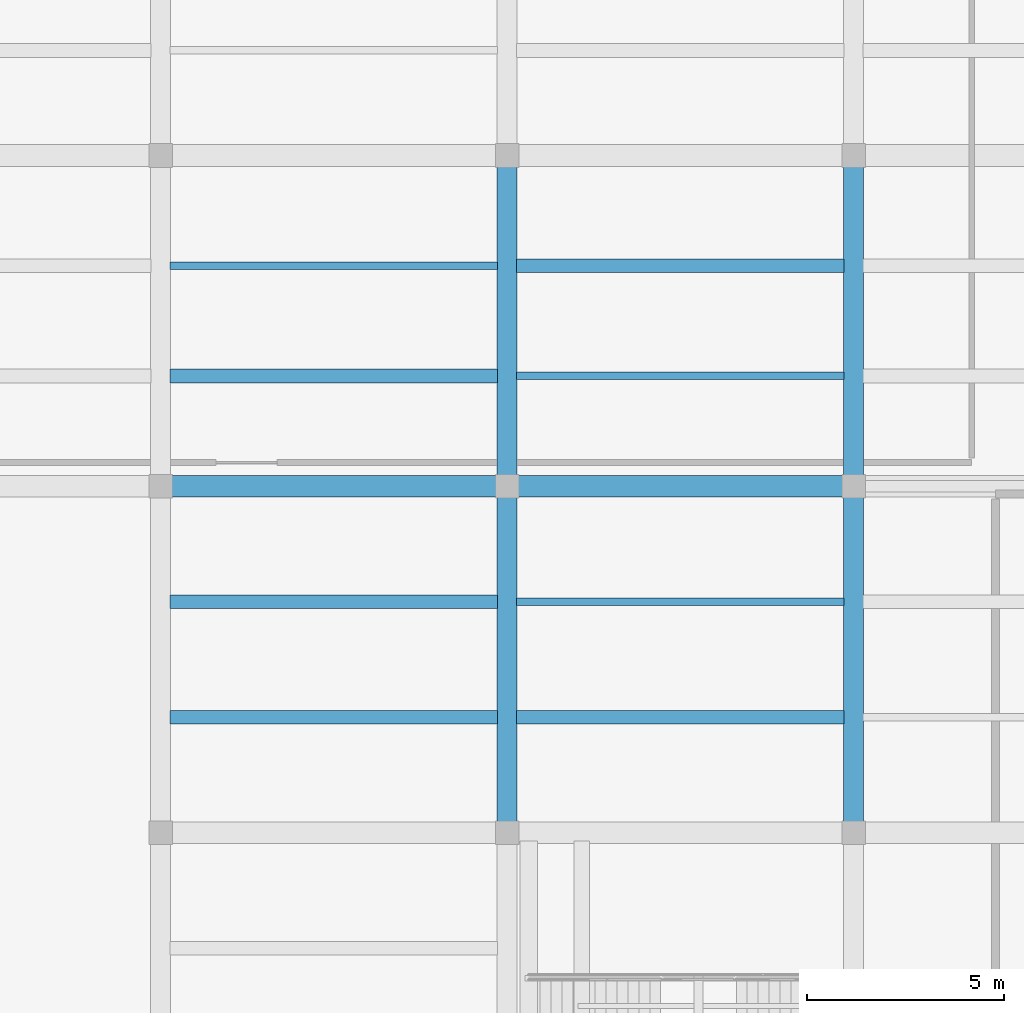
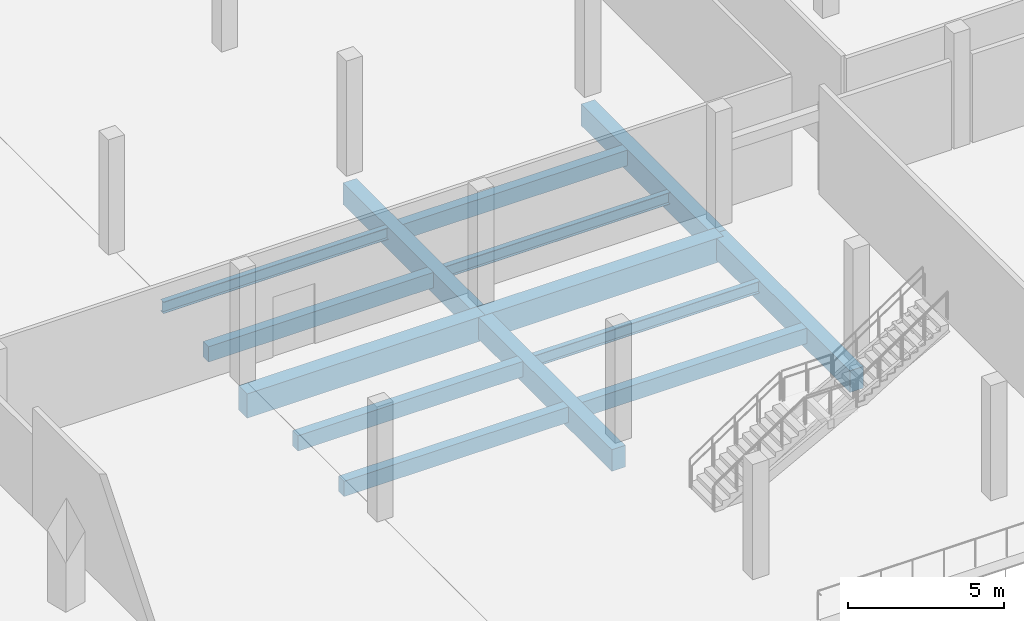
# One storey, part 44 of 77: 14 beams.
"""IFC4 building model written with IfcOpenShell, lengths in metres."""

from ifc_helpers import new_model, si_unit, direction, frame, origin, origin_2d, place, context, subcontext, project, spatial, rectangle, i_section, extrude, material, material_profile, profile_set, type_object, element, save


model = new_model("IFC4")

# Units and contexts
model_context = context("Model", 3, precision=1e-05, world=origin(), true_north=direction((0.0, 1.0)))
body_context = subcontext(model_context, "Body", "Model", "MODEL_VIEW")
ifc_project = project(units=[si_unit("LENGTHUNIT", "METRE"), si_unit("AREAUNIT", "SQUARE_METRE"), si_unit("VOLUMEUNIT", "CUBIC_METRE"), si_unit("PLANEANGLEUNIT", "RADIAN"), si_unit("MASSUNIT", "GRAM", prefix="KILO")], contexts=[model_context])

# Site, building, storey
site_placement = place(None, origin())
site = spatial("IfcSite", under=ifc_project, at=site_placement, CompositionType="ELEMENT")
building_placement = place(site_placement, origin())
building = spatial("IfcBuilding", under=site, at=building_placement, Name="Meriwether Solvik Hall", CompositionType="ELEMENT")
storey_placement = place(building_placement, frame((0.0, 0.0, 9.89990234375)))
storey = spatial("IfcBuildingStorey", under=building, at=storey_placement, Name="L02", CompositionType="ELEMENT", Elevation=9.89990234375)

# Beams
ifc_material_1 = material(Name="Concrete C40/50", Category="concrete")
ifc_material_profile_1 = material_profile(ifc_material_1, rectangle(XDim=0.35009765625, YDim=0.60009765625, at=origin_2d()), Name="RCB-350X600")
ifc_profile_set_1 = profile_set([ifc_material_profile_1], Name="Concrete C40/50")
beam_type_1 = type_object("IfcBeamType", Name="BM-RC-350X600", PredefinedType="JOIST", material=ifc_profile_set_1)
for number, where, z_axis, x_axis, name in (
    (1, (114.445068359375, 86.933349609375, -0.75), (1.0, 0.0, 0.0), (0.0, 1.0, 0.0), "Secondary Floor Joist 13/J_J1 (L02)"),
    (2, (114.445068359375, 89.86669921875, -0.75), (1.0, 0.0, 0.0), (0.0, 1.0, 0.0), "Secondary Floor Joist 13/J_J2 (L02)"),
    (3, (114.445068359375, 95.60009765625, -0.75), (1.0, 0.0, 0.0), (0.0, 1.0, 0.0), "Secondary Floor Joist 13/K_J1 (L02)"),
    (4, (123.2451171875, 86.933349609375, -0.75), (1.0, 0.0, 0.0), (0.0, 1.0, 0.0), "Secondary Floor Joist 14/J_J1 (L02)"),
    (5, (123.2451171875, 98.39990234375, -0.75), (1.0, 0.0, 0.0), (0.0, 1.0, 0.0), "Secondary Floor Joist 14/K_J2 (L02)"),
):
    element("IfcBeam", number, at=place(storey_placement, frame(where, z_axis=z_axis, x_axis=x_axis)), inside=storey, type_object=beam_type_1, Name=name, PredefinedType="JOIST", context=body_context, shape_type="SweptSolid", body=[
        extrude(rectangle(XDim=0.35009765625, YDim=0.60009765625, at=origin_2d()), origin(), (0.0, 0.0, 1.0), 8.309814453125),
    ])
ifc_material_2 = material(Name="Concrete C40/50", Category="concrete")
ifc_material_profile_2 = material_profile(ifc_material_2, rectangle(XDim=0.5, YDim=0.85009765625, at=origin_2d()), Name="RCB-500X850")
ifc_profile_set_2 = profile_set([ifc_material_profile_2], Name="Concrete C40/50")
beam_type_2 = type_object("IfcBeamType", Name="BM-RC-500X850", PredefinedType="BEAM", material=ifc_profile_set_2)
beam_1_placement = place(storey_placement, frame((123.0, 84.0, -0.875), z_axis=(0.0, 1.0, 0.0), x_axis=(-1.0, 0.0, 0.0)))
element("IfcBeam", 6, at=beam_1_placement, inside=storey, type_object=beam_type_2, Name="Podium Girder 14:J-K (L02)", PredefinedType="BEAM", context=body_context, shape_type="SweptSolid", body=[
    extrude(rectangle(XDim=0.5, YDim=0.85009765625, at=origin_2d()), origin(), (0.0, 0.0, 1.0), 8.800048828125),
])
beam_2_placement = place(storey_placement, frame((123.0, 92.800048828125, -0.875), z_axis=(0.0, 1.0, 0.0), x_axis=(-1.0, 0.0, 0.0)))
element("IfcBeam", 7, at=beam_2_placement, inside=storey, type_object=beam_type_2, Name="Podium Girder 14:K-L (L02)", PredefinedType="BEAM", context=body_context, shape_type="SweptSolid", body=[
    extrude(rectangle(XDim=0.5, YDim=0.85009765625, at=origin_2d()), origin(), (0.0, 0.0, 1.0), 8.39990234375),
])
beam_3_placement = place(storey_placement, frame((131.800048828125, 84.0, -0.875), z_axis=(0.0, 1.0, 0.0), x_axis=(-1.0, 0.0, 0.0)))
element("IfcBeam", 8, at=beam_3_placement, inside=storey, type_object=beam_type_2, Name="Podium Girder 15:J-K (L02)", PredefinedType="BEAM", context=body_context, shape_type="SweptSolid", body=[
    extrude(rectangle(XDim=0.5, YDim=0.85009765625, at=origin_2d()), origin(), (0.0, 0.0, 1.0), 8.800048828125),
])
beam_4_placement = place(storey_placement, frame((131.800048828125, 92.800048828125, -0.875), z_axis=(0.0, 1.0, 0.0), x_axis=(-1.0, 0.0, 0.0)))
element("IfcBeam", 9, at=beam_4_placement, inside=storey, type_object=beam_type_2, Name="Podium Girder 15:K-L (L02)", PredefinedType="BEAM", context=body_context, shape_type="SweptSolid", body=[
    extrude(rectangle(XDim=0.5, YDim=0.85009765625, at=origin_2d()), origin(), (0.0, 0.0, 1.0), 8.39990234375),
])
ifc_material_3 = material(Name="Concrete C40/50", Category="concrete")
ifc_material_profile_3 = material_profile(ifc_material_3, rectangle(XDim=0.550048828125, YDim=0.949951171875, at=origin_2d()), Name="RCB-550X950")
ifc_profile_set_3 = profile_set([ifc_material_profile_3], Name="Concrete C40/50")
beam_type_3 = type_object("IfcBeamType", Name="BM-RC-550X950", PredefinedType="BEAM", material=ifc_profile_set_3)
for number, where, z_axis, x_axis, name in (
    (10, (114.199951171875, 92.800048828125, -0.9248046875), (1.0, 0.0, 0.0), (0.0, 1.0, 0.0), "Podium Girder K:13-14 (L02)"),
    (11, (123.0, 92.800048828125, -0.9248046875), (1.0, 0.0, 0.0), (0.0, 1.0, 0.0), "Podium Girder K:14-15 (L02)"),
):
    element("IfcBeam", number, at=place(storey_placement, frame(where, z_axis=z_axis, x_axis=x_axis)), inside=storey, type_object=beam_type_3, Name=name, PredefinedType="BEAM", context=body_context, shape_type="SweptSolid", body=[
        extrude(rectangle(XDim=0.550048828125, YDim=0.949951171875, at=origin_2d()), origin(), (0.0, 0.0, 1.0), 8.800048828125),
    ])
ifc_material_4 = material(Name="Steel A992 Grade 50", Category="steel")
ifc_material_profile_4 = material_profile(ifc_material_4, i_section(OverallWidth=0.19091796875, OverallDepth=0.45703125, WebThickness=0.009033203125, FlangeThickness=0.014404296875, at=origin_2d()), Name="W18X50")
ifc_profile_set_4 = profile_set([ifc_material_profile_4], Name="Steel A992 Grade 50")
beam_type_4 = type_object("IfcBeamType", Name="BM-STL-W18X50", PredefinedType="JOIST", material=ifc_profile_set_4)
for number, where, z_axis, x_axis, name in (
    (12, (114.445068359375, 98.39990234375, -0.678466796875), (1.0, 0.0, 0.0), (0.0, 1.0, 0.0), "Secondary Floor Joist 13/K_J2 (L02)"),
    (13, (123.2451171875, 89.86669921875, -0.678466796875), (1.0, 0.0, 0.0), (0.0, 1.0, 0.0), "Secondary Floor Joist 14/J_J2 (L02)"),
    (14, (123.2451171875, 95.60009765625, -0.678466796875), (1.0, 0.0, 0.0), (0.0, 1.0, 0.0), "Secondary Floor Joist 14/K_J1 (L02)"),
):
    element("IfcBeam", number, at=place(storey_placement, frame(where, z_axis=z_axis, x_axis=x_axis)), inside=storey, type_object=beam_type_4, Name=name, PredefinedType="JOIST", context=body_context, shape_type="SweptSolid", body=[
        extrude(i_section(OverallWidth=0.19091796875, OverallDepth=0.45703125, WebThickness=0.009033203125, FlangeThickness=0.014404296875, at=origin_2d()), origin(), (0.0, 0.0, 1.0), 8.309814453125),
    ])

save(model, "model.ifc")
